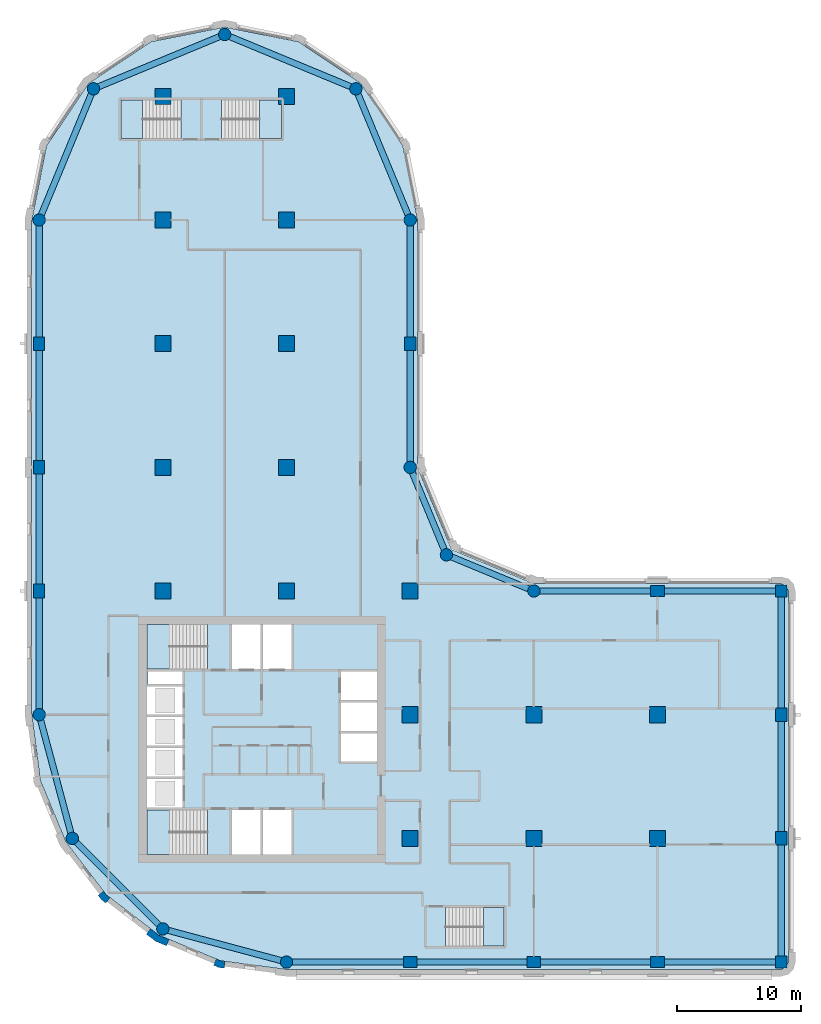
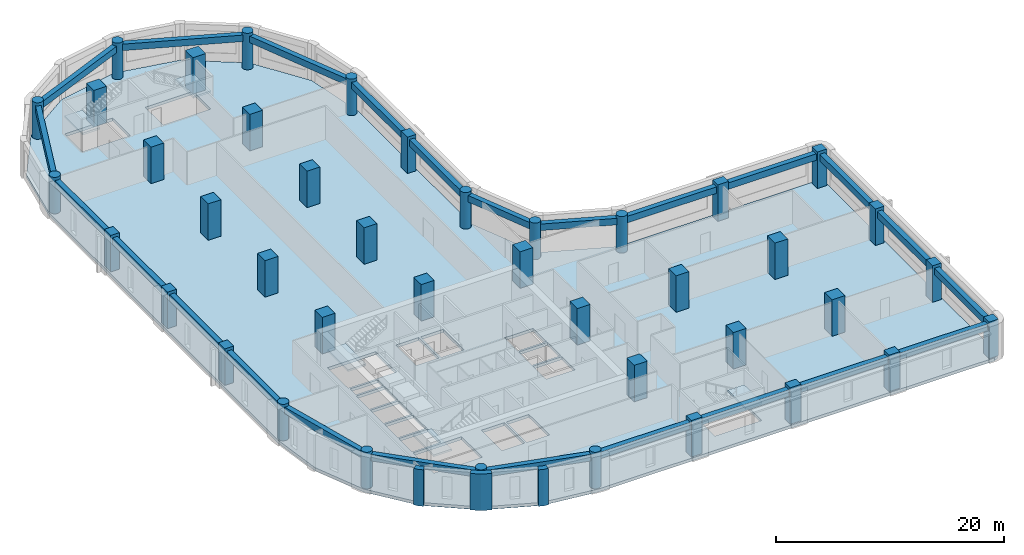
# One storey, part 1 of 9: 41 columns, 24 beams, 6 slabs, 3 walls, 5 elements without a shape of their own.
"""IFC4 building model written with IfcOpenShell, lengths in metres."""

from ifc_helpers import new_model, si_unit, direction, frame, origin, origin_2d, place, context, subcontext, project, spatial, polyline, rectangle, circle, outline, extrude, material, layer, layer_set, material_profile, profile_set, type_object, element, aggregate, save


model = new_model("IFC4")

# Units and contexts
model_context = context("Model", 3, precision=1e-05, world=origin(), true_north=direction((0.0, 1.0)))
body_context = subcontext(model_context, "Body", "Model", "MODEL_VIEW")
ifc_project = project(units=[si_unit("LENGTHUNIT", "METRE"), si_unit("AREAUNIT", "SQUARE_METRE"), si_unit("VOLUMEUNIT", "CUBIC_METRE"), si_unit("PLANEANGLEUNIT", "RADIAN"), si_unit("MASSUNIT", "GRAM", prefix="KILO")], contexts=[model_context])

# Site, building, storey
site_placement = place(None, origin())
site = spatial("IfcSite", under=ifc_project, at=site_placement, CompositionType="ELEMENT")
building_placement = place(site_placement, origin())
building = spatial("IfcBuilding", under=site, at=building_placement, Name="Qaws Garden Tower", CompositionType="ELEMENT")
storey_placement = place(building_placement, frame((0.0, 0.0, 213.60009765625)))
storey = spatial("IfcBuildingStorey", under=building, at=storey_placement, Name="L52", CompositionType="ELEMENT", Elevation=213.60009765625)

# Columns
ifc_material_1 = material(Name="Concrete C70", Category="concrete")
ifc_material_profile_1 = material_profile(ifc_material_1, rectangle(XDim=1.10009765625, YDim=0.89990234375, at=origin_2d()), Name="RC 1100x900")
ifc_profile_set_1 = profile_set([ifc_material_profile_1], Name="Concrete C70")
column_type_1 = type_object("IfcColumnType", Name="Column RC 1100x900 C70", PredefinedType="COLUMN", material=ifc_profile_set_1)
for number, where, z_axis, x_axis, name in (
    (1, (30.0, 0.0, 0.0), (0.0, 0.0, 1.0), (1.0, 0.0, 0.0), "Column L52-002"),
    (2, (40.0, 0.0, 0.0), (0.0, 0.0, 1.0), (1.0, 0.0, 0.0), "Column L52-003"),
    (3, (50.0, 0.0, 0.0), (0.0, 0.0, 1.0), (1.0, 0.0, 0.0), "Column L52-004"),
    (4, (60.0, 10.0, 0.0), (0.0, 0.0, 1.0), (0.0, 1.0, 0.0), "Column L52-006"),
    (5, (60.0, 20.0, 0.0), (0.0, 0.0, 1.0), (0.0, 1.0, 0.0), "Column L52-007"),
    (6, (50.0, 30.0, 0.0), (0.0, 0.0, 1.0), (1.0, 0.0, 0.0), "Column L52-009"),
    (7, (30.0, 50.0, 0.0), (0.0, 0.0, 1.0), (0.0, 1.0, 0.0), "Column L52-013"),
    (8, (0.0, 50.0, 0.0), (0.0, 0.0, 1.0), (0.0, 1.0, 0.0), "Column L52-019"),
    (9, (0.0, 40.0, 0.0), (0.0, 0.0, 1.0), (0.0, 1.0, 0.0), "Column L52-020"),
    (10, (0.0, 30.0, 0.0), (0.0, 0.0, 1.0), (0.0, 1.0, 0.0), "Column L52-021"),
):
    element("IfcColumn", number, at=place(storey_placement, frame(where, z_axis=z_axis, x_axis=x_axis)), inside=storey, type_object=column_type_1, Name=name, PredefinedType="COLUMN", context=body_context, shape_type="SweptSolid", body=[
        extrude(rectangle(XDim=1.10009765625, YDim=0.89990234375, at=origin_2d()), origin(), (0.0, 0.0, 1.0), 3.89990234375),
    ])
ifc_material_2 = material(Name="Concrete C70", Category="concrete")
ifc_material_profile_2 = material_profile(ifc_material_2, rectangle(XDim=1.300048828125, YDim=1.300048828125, at=origin_2d()), Name="RC 1300x1300")
ifc_profile_set_2 = profile_set([ifc_material_profile_2], Name="Concrete C70")
column_type_2 = type_object("IfcColumnType", Name="Column RC 1300x1300 C70", PredefinedType="COLUMN", material=ifc_profile_set_2)
for number, where, z_axis, x_axis, name in (
    (11, (10.0, 30.0, 0.0), (0.0, 0.0, 1.0), (1.0, 0.0, 0.0), "Column L52-025"),
    (12, (10.0, 40.0, 0.0), (0.0, 0.0, 1.0), (1.0, 0.0, 0.0), "Column L52-026"),
    (13, (10.0, 50.0, 0.0), (0.0, 0.0, 1.0), (1.0, 0.0, 0.0), "Column L52-027"),
    (14, (10.0, 60.0, 0.0), (0.0, 0.0, 1.0), (1.0, 0.0, 0.0), "Column L52-028"),
    (15, (10.0, 70.0, 0.0), (0.0, 0.0, 1.0), (1.0, 0.0, 0.0), "Column L52-029"),
    (16, (20.0, 30.0, 0.0), (0.0, 0.0, 1.0), (1.0, 0.0, 0.0), "Column L52-030"),
    (17, (20.0, 40.0, 0.0), (0.0, 0.0, 1.0), (1.0, 0.0, 0.0), "Column L52-031"),
    (18, (20.0, 50.0, 0.0), (0.0, 0.0, 1.0), (1.0, 0.0, 0.0), "Column L52-032"),
    (19, (20.0, 60.0, 0.0), (0.0, 0.0, 1.0), (1.0, 0.0, 0.0), "Column L52-033"),
    (20, (20.0, 70.0, 0.0), (0.0, 0.0, 1.0), (1.0, 0.0, 0.0), "Column L52-034"),
    (21, (30.0, 10.0, 0.0), (0.0, 0.0, 1.0), (1.0, 0.0, 0.0), "Column L52-035"),
    (22, (30.0, 20.0, 0.0), (0.0, 0.0, 1.0), (1.0, 0.0, 0.0), "Column L52-036"),
    (23, (30.0, 30.0, 0.0), (0.0, 0.0, 1.0), (1.0, 0.0, 0.0), "Column L52-037"),
    (24, (40.0, 10.0, 0.0), (0.0, 0.0, 1.0), (1.0, 0.0, 0.0), "Column L52-038"),
    (25, (40.0, 20.0, 0.0), (0.0, 0.0, 1.0), (1.0, 0.0, 0.0), "Column L52-039"),
    (26, (50.0, 10.0, 0.0), (0.0, 0.0, 1.0), (1.0, 0.0, 0.0), "Column L52-040"),
    (27, (50.0, 20.0, 0.0), (0.0, 0.0, 1.0), (1.0, 0.0, 0.0), "Column L52-041"),
):
    element("IfcColumn", number, at=place(storey_placement, frame(where, z_axis=z_axis, x_axis=x_axis)), inside=storey, type_object=column_type_2, Name=name, PredefinedType="COLUMN", context=body_context, shape_type="SweptSolid", body=[
        extrude(rectangle(XDim=1.300048828125, YDim=1.300048828125, at=origin_2d()), origin(), (0.0, 0.0, 1.0), 3.89990234375),
    ])
ifc_material_3 = material(Name="Concrete C70", Category="concrete")
ifc_material_profile_3 = material_profile(ifc_material_3, rectangle(XDim=0.949951171875, YDim=0.949951171875, at=origin_2d()), Name="RC 950x950")
ifc_profile_set_3 = profile_set([ifc_material_profile_3], Name="Concrete C70")
column_type_3 = type_object("IfcColumnType", Name="Column RC 950x950 C70", PredefinedType="COLUMN", material=ifc_profile_set_3)
for number, where, z_axis, x_axis, name in (
    (28, (60.0, 0.0, 0.0), (0.0, 0.0, 1.0), (1.0, 0.0, 0.0), "Column L52-005"),
    (29, (60.0, 30.0, 0.0), (0.0, 0.0, 1.0), (1.0, 0.0, 0.0), "Column L52-008"),
):
    element("IfcColumn", number, at=place(storey_placement, frame(where, z_axis=z_axis, x_axis=x_axis)), inside=storey, type_object=column_type_3, Name=name, PredefinedType="COLUMN", context=body_context, shape_type="SweptSolid", body=[
        extrude(rectangle(XDim=0.949951171875, YDim=0.949951171875, at=origin_2d()), origin(), (0.0, 0.0, 1.0), 3.89990234375),
    ])
ifc_material_4 = material(Name="Concrete C70", Category="concrete")
ifc_material_profile_4 = material_profile(ifc_material_4, circle(Radius=0.5, at=origin_2d()), Name="RC D1000")
ifc_profile_set_4 = profile_set([ifc_material_profile_4], Name="Concrete C70")
column_type_4 = type_object("IfcColumnType", Name="Column RC D1000 C70", PredefinedType="COLUMN", material=ifc_profile_set_4)
for number, where, z_axis, x_axis, name in (
    (30, (20.0, 0.0, 0.0), (0.0, 0.0, 1.0), (1.0, 0.0, 0.0), "Column L52-001"),
    (31, (40.0, 30.0, 0.0), (0.0, 0.0, 1.0), (1.0, 0.0, 0.0), "Column L52-010"),
    (32, (32.928955078125, 32.928955078125, 0.0), (0.0, 0.0, 1.0), (1.0, 0.0, 0.0), "Column L52-011"),
    (33, (30.0, 40.0, 0.0), (0.0, 0.0, 1.0), (1.0, 0.0, 0.0), "Column L52-012"),
    (34, (30.0, 60.0, 0.0), (0.0, 0.0, 1.0), (1.0, 0.0, 0.0), "Column L52-014"),
    (35, (25.606689453125, 70.606689453125, 0.0), (0.0, 0.0, 1.0), (1.0, 0.0, 0.0), "Column L52-015"),
    (36, (15.0, 75.0, 0.0), (0.0, 0.0, 1.0), (1.0, 0.0, 0.0), "Column L52-016"),
    (37, (4.393310546875, 70.606689453125, 0.0), (0.0, 0.0, 1.0), (1.0, 0.0, 0.0), "Column L52-017"),
    (38, (0.0, 60.0, 0.0), (0.0, 0.0, 1.0), (1.0, 0.0, 0.0), "Column L52-018"),
    (39, (0.0, 20.0, 0.0), (0.0, 0.0, 1.0), (1.0, 0.0, 0.0), "Column L52-022"),
    (40, (2.679443359375, 10.0, 0.0), (0.0, 0.0, 1.0), (1.0, 0.0, 0.0), "Column L52-023"),
    (41, (10.0, 2.679443359375, 0.0), (0.0, 0.0, 1.0), (1.0, 0.0, 0.0), "Column L52-024"),
):
    element("IfcColumn", number, at=place(storey_placement, frame(where, z_axis=z_axis, x_axis=x_axis)), inside=storey, type_object=column_type_4, Name=name, PredefinedType="COLUMN", context=body_context, shape_type="SweptSolid", body=[
        extrude(circle(Radius=0.5, at=origin_2d()), origin(), (0.0, 0.0, 1.0), 3.89990234375),
    ])

# Beams
ifc_material_5 = material(Name="Concrete C45", Category="concrete")
ifc_material_profile_5 = material_profile(ifc_material_5, rectangle(XDim=0.5, YDim=0.699951171875, at=origin_2d()), Name="RC 500x700")
ifc_profile_set_5 = profile_set([ifc_material_profile_5], Name="Concrete C45")
beam_type = type_object("IfcBeamType", Name="Spandrel beam RC 500x700 C45", PredefinedType="SPANDREL", material=ifc_profile_set_5)
for number, where, z_axis, x_axis, name in (
    (42, (20.0, 0.0, 3.22998046875), (1.0, 0.0, 0.0), (0.0, 1.0, 0.0), "Spandrel beam L52-001"),
    (43, (30.0, 0.0, 3.22998046875), (1.0, 0.0, 0.0), (0.0, 1.0, 0.0), "Spandrel beam L52-002"),
    (44, (40.0, 0.0, 3.22998046875), (1.0, 0.0, 0.0), (0.0, 1.0, 0.0), "Spandrel beam L52-003"),
    (45, (50.0, 0.0, 3.22998046875), (1.0, 0.0, 0.0), (0.0, 1.0, 0.0), "Spandrel beam L52-004"),
    (46, (60.0, 0.0, 3.22998046875), (0.0, 1.0, 0.0), (-1.0, 0.0, 0.0), "Spandrel beam L52-005"),
    (47, (60.0, 10.0, 3.22998046875), (0.0, 1.0, 0.0), (-1.0, 0.0, 0.0), "Spandrel beam L52-006"),
    (48, (60.0, 20.0, 3.22998046875), (0.0, 1.0, 0.0), (-1.0, 0.0, 0.0), "Spandrel beam L52-007"),
    (49, (60.0, 30.0, 3.22998046875), (-1.0, 0.0, 0.0), (0.0, -1.0, 0.0), "Spandrel beam L52-008"),
    (50, (50.0, 30.0, 3.22998046875), (-1.0, 0.0, 0.0), (0.0, -1.0, 0.0), "Spandrel beam L52-009"),
):
    element("IfcBeam", number, at=place(storey_placement, frame(where, z_axis=z_axis, x_axis=x_axis)), inside=storey, type_object=beam_type, Name=name, PredefinedType="SPANDREL", context=body_context, shape_type="SweptSolid", body=[
        extrude(rectangle(XDim=0.5, YDim=0.699951171875, at=origin_2d()), origin(), (0.0, 0.0, 1.0), 10.0),
    ])
for number, where, z_axis, x_axis, name in (
    (51, (40.0, 30.0, 3.22998046875), (-0.923878037141, 0.382687042488, 0.0), (-0.382687042488, -0.923878037141, 0.0), "Spandrel beam L52-010"),
    (52, (32.928955078125, 32.928955078125, 3.22998046875), (-0.382687042488, 0.923878037141, 0.0), (-0.923878037141, -0.382687042488, 0.0), "Spandrel beam L52-011"),
):
    element("IfcBeam", number, at=place(storey_placement, frame(where, z_axis=z_axis, x_axis=x_axis)), inside=storey, type_object=beam_type, Name=name, PredefinedType="SPANDREL", context=body_context, shape_type="SweptSolid", body=[
        extrude(rectangle(XDim=0.5, YDim=0.699951171875, at=origin_2d()), origin(), (0.0, 0.0, 1.0), 7.653564453125),
    ])
for number, where, z_axis, x_axis, name in (
    (53, (30.0, 40.0, 3.22998046875), (0.0, 1.0, 0.0), (-1.0, 0.0, 0.0), "Spandrel beam L52-012"),
    (54, (30.0, 50.0, 3.22998046875), (0.0, 1.0, 0.0), (-1.0, 0.0, 0.0), "Spandrel beam L52-013"),
):
    element("IfcBeam", number, at=place(storey_placement, frame(where, z_axis=z_axis, x_axis=x_axis)), inside=storey, type_object=beam_type, Name=name, PredefinedType="SPANDREL", context=body_context, shape_type="SweptSolid", body=[
        extrude(rectangle(XDim=0.5, YDim=0.699951171875, at=origin_2d()), origin(), (0.0, 0.0, 1.0), 10.0),
    ])
for number, where, z_axis, x_axis, name in (
    (55, (30.0, 60.0, 3.22998046875), (-0.382674207535, 0.923883353507, 0.0), (-0.923883353507, -0.382674207535, 0.0), "Spandrel beam L52-014"),
    (56, (25.606689453125, 70.606689453125, 3.22998046875), (-0.923883353507, 0.382674207535, 0.0), (-0.382674207535, -0.923883353507, 0.0), "Spandrel beam L52-015"),
    (57, (15.0, 75.0, 3.22998046875), (-0.923883353507, -0.382674207535, 0.0), (0.382674207535, -0.923883353507, 0.0), "Spandrel beam L52-016"),
    (58, (4.393310546875, 70.606689453125, 3.22998046875), (-0.382674207535, -0.923883353507, 0.0), (0.923883353507, -0.382674207535, 0.0), "Spandrel beam L52-017"),
):
    element("IfcBeam", number, at=place(storey_placement, frame(where, z_axis=z_axis, x_axis=x_axis)), inside=storey, type_object=beam_type, Name=name, PredefinedType="SPANDREL", context=body_context, shape_type="SweptSolid", body=[
        extrude(rectangle(XDim=0.5, YDim=0.699951171875, at=origin_2d()), origin(), (0.0, 0.0, 1.0), 11.48046875),
    ])
for number, where, z_axis, x_axis, name in (
    (59, (0.0, 60.0, 3.22998046875), (0.0, -1.0, 0.0), (1.0, 0.0, 0.0), "Spandrel beam L52-018"),
    (60, (0.0, 50.0, 3.22998046875), (0.0, -1.0, 0.0), (1.0, 0.0, 0.0), "Spandrel beam L52-019"),
    (61, (0.0, 40.0, 3.22998046875), (0.0, -1.0, 0.0), (1.0, 0.0, 0.0), "Spandrel beam L52-020"),
    (62, (0.0, 30.0, 3.22998046875), (0.0, -1.0, 0.0), (1.0, 0.0, 0.0), "Spandrel beam L52-021"),
):
    element("IfcBeam", number, at=place(storey_placement, frame(where, z_axis=z_axis, x_axis=x_axis)), inside=storey, type_object=beam_type, Name=name, PredefinedType="SPANDREL", context=body_context, shape_type="SweptSolid", body=[
        extrude(rectangle(XDim=0.5, YDim=0.699951171875, at=origin_2d()), origin(), (0.0, 0.0, 1.0), 10.0),
    ])
for number, where, z_axis, x_axis, name in (
    (63, (0.0, 20.0, 3.22998046875), (0.25881466832, -0.965926999034, 0.0), (0.965926999034, 0.25881466832, 0.0), "Spandrel beam L52-022"),
    (64, (2.679443359375, 10.0, 3.22998046875), (0.707106781187, -0.707106781187, 0.0), (0.707106781187, 0.707106781187, 0.0), "Spandrel beam L52-023"),
    (65, (10.0, 2.679443359375, 3.22998046875), (0.965926999034, -0.25881466832, 0.0), (0.25881466832, 0.965926999034, 0.0), "Spandrel beam L52-024"),
):
    element("IfcBeam", number, at=place(storey_placement, frame(where, z_axis=z_axis, x_axis=x_axis)), inside=storey, type_object=beam_type, Name=name, PredefinedType="SPANDREL", context=body_context, shape_type="SweptSolid", body=[
        extrude(rectangle(XDim=0.5, YDim=0.699951171875, at=origin_2d()), origin(), (0.0, 0.0, 1.0), 10.352783203125),
    ])

# Slab
ifc_material_6 = material(Name="Concrete C40", Category="concrete")
ifc_layer_1 = layer(ifc_material_6, 0.320068359375)
ifc_layer_set_1 = layer_set([ifc_layer_1], Name="Concrete C40")
slab_type_1 = type_object("IfcSlabType", Name="Floor slab 320 C40", PredefinedType="FLOOR", material=ifc_layer_set_1)
slab_1_placement = place(storey_placement, frame((0.0, 0.0, -0.320068359375)))
element("IfcSlab", 66, at=slab_1_placement, inside=storey, type_object=slab_type_1, Name="Floor slab L52", PredefinedType="FLOOR", context=body_context, shape_type="SweptSolid", body=[
    extrude(outline(polyline([(0.101806640625, 14.668212890625), (-0.60009765625, 20.0), (-0.60009765625, 30.60009765625), (-0.60009765625, 60.0), (-0.60009765625, 60.0), (0.58740234375, 65.969970703125), (3.968994140625, 71.031005859375), (9.030029296875, 74.41259765625), (15.0, 75.60009765625), (20.969970703125, 74.41259765625), (26.031005859375, 71.031005859375), (29.41259765625, 65.969970703125), (30.60009765625, 60.0), (30.60009765625, 40.0), (33.353271484375, 33.353271484375), (40.0, 30.60009765625), (60.0, 30.60009765625), (60.42431640625, 30.42431640625), (60.60009765625, 30.0), (60.60009765625, 0.0), (60.42431640625, -0.42431640625), (60.0, -0.60009765625), (30.60009765625, -0.60009765625), (20.0, -0.60009765625), (14.668212890625, 0.101806640625), (9.699951171875, 2.159912109375), (5.43359375, 5.43359375), (2.159912109375, 9.699951171875), (0.101806640625, 14.668212890625)]), holes=[polyline([(13.599609375, 12.300048828125), (8.699951171875, 12.300048828125), (8.699951171875, 8.699951171875), (13.599609375, 8.699951171875), (13.599609375, 12.300048828125)]), polyline([(17.89990234375, 12.300048828125), (15.60009765625, 12.300048828125), (15.60009765625, 8.699951171875), (17.89990234375, 8.699951171875), (17.89990234375, 12.300048828125)]), polyline([(11.60009765625, 14.800048828125), (8.699951171875, 14.800048828125), (8.699951171875, 12.5), (11.60009765625, 12.5), (11.60009765625, 14.800048828125)]), polyline([(11.60009765625, 17.300048828125), (8.699951171875, 17.300048828125), (8.699951171875, 15.0), (11.60009765625, 15.0), (11.60009765625, 17.300048828125)]), polyline([(11.60009765625, 19.800048828125), (8.699951171875, 19.800048828125), (8.699951171875, 17.5), (11.60009765625, 17.5), (11.60009765625, 19.800048828125)]), polyline([(11.60009765625, 22.300048828125), (8.699951171875, 22.300048828125), (8.699951171875, 20.0), (11.60009765625, 20.0), (11.60009765625, 22.300048828125)]), polyline([(11.60009765625, 23.5), (8.800048828125, 23.5), (8.800048828125, 22.5), (11.60009765625, 22.5), (11.60009765625, 23.5)]), polyline([(13.599609375, 27.300048828125), (8.699951171875, 27.300048828125), (8.699951171875, 23.699951171875), (13.599609375, 23.699951171875), (13.599609375, 27.300048828125)]), polyline([(11.449462890625, 69.699951171875), (6.60009765625, 69.699951171875), (6.60009765625, 66.60009765625), (11.449462890625, 66.60009765625), (11.449462890625, 69.699951171875)]), polyline([(37.60009765625, 4.39990234375), (32.8505859375, 4.39990234375), (32.8505859375, 1.300048828125), (37.60009765625, 1.300048828125), (37.60009765625, 4.39990234375)]), polyline([(20.39990234375, 12.300048828125), (18.10009765625, 12.300048828125), (18.10009765625, 8.699951171875), (20.39990234375, 8.699951171875), (20.39990234375, 12.300048828125)]), polyline([(27.300048828125, 18.5), (24.39990234375, 18.5), (24.39990234375, 16.199951171875), (27.300048828125, 16.199951171875), (27.300048828125, 18.5)]), polyline([(27.300048828125, 21.0), (24.39990234375, 21.0), (24.39990234375, 18.699951171875), (27.300048828125, 18.699951171875), (27.300048828125, 21.0)]), polyline([(27.300048828125, 23.5), (24.39990234375, 23.5), (24.39990234375, 21.199951171875), (27.300048828125, 21.199951171875), (27.300048828125, 23.5)]), polyline([(17.89990234375, 27.300048828125), (15.60009765625, 27.300048828125), (15.60009765625, 23.699951171875), (17.89990234375, 23.699951171875), (17.89990234375, 27.300048828125)]), polyline([(20.39990234375, 23.699951171875), (20.39990234375, 27.300048828125), (18.10009765625, 27.300048828125), (18.10009765625, 23.699951171875), (20.39990234375, 23.699951171875)]), polyline([(19.60009765625, 66.60009765625), (19.60009765625, 69.699951171875), (14.75048828125, 69.699951171875), (14.75048828125, 66.60009765625), (19.60009765625, 66.60009765625)])]), origin(), (0.0, 0.0, 1.0), 0.320068359375),
])

# Stair, slab
ifc_material_7 = material(Name="Concrete C40", Category="concrete")
stair_type_1 = type_object("IfcStairType", Name="Exit stair 1500", PredefinedType="HALF_TURN_STAIR", material=ifc_material_7)
placement_1 = place(storey_placement, origin())
stair_1 = element("IfcStair", 67, at=placement_1, inside=storey, type_object=stair_type_1, Name="Stair 1", PredefinedType="HALF_TURN_STAIR")
ifc_material_8 = material(Name="Concrete C40", Category="concrete")
ifc_layer_2 = layer(ifc_material_8, 0.199951171875)
ifc_layer_set_2 = layer_set([ifc_layer_2], Name="Concrete C40")
slab_type_2 = type_object("IfcSlabType", Name="Stair landing 200", PredefinedType="LANDING", material=ifc_layer_set_2)
placement_2 = place(storey_placement, frame((0.0, 0.0, 1.75)))
slab_2 = element("IfcSlab", 68, at=placement_2, type_object=slab_type_2, Name="ST1 landing 1", PredefinedType="LANDING", context=body_context, shape_type="SweptSolid", body=[
    extrude(outline(polyline([(8.699951171875, 8.699951171875), (10.52001953125, 8.699951171875), (10.52001953125, 12.300048828125), (8.699951171875, 12.300048828125), (8.699951171875, 8.699951171875)])), origin(), (0.0, 0.0, 1.0), 0.199951171875),
])
aggregate(stair_1, [slab_2])

stair_2 = element("IfcStair", 69, at=placement_1, inside=storey, type_object=stair_type_1, Name="Stair 4", PredefinedType="HALF_TURN_STAIR")
slab_3 = element("IfcSlab", 70, at=placement_2, type_object=slab_type_2, Name="ST4 landing 1", PredefinedType="LANDING", context=body_context, shape_type="SweptSolid", body=[
    extrude(outline(polyline([(8.699951171875, 23.699951171875), (10.52001953125, 23.699951171875), (10.52001953125, 27.300048828125), (8.699951171875, 27.300048828125), (8.699951171875, 23.699951171875)])), origin(), (0.0, 0.0, 1.0), 0.199951171875),
])
aggregate(stair_2, [slab_3])

ifc_material_9 = material(Name="Concrete C40", Category="concrete")
stair_type_2 = type_object("IfcStairType", Name="Exit stair 1350", PredefinedType="HALF_TURN_STAIR", material=ifc_material_9)
stair_3 = element("IfcStair", 71, at=placement_1, inside=storey, type_object=stair_type_2, Name="Stair 5", PredefinedType="HALF_TURN_STAIR")
slab_4 = element("IfcSlab", 72, at=placement_2, type_object=slab_type_2, Name="ST5 landing 1", PredefinedType="LANDING", context=body_context, shape_type="SweptSolid", body=[
    extrude(outline(polyline([(35.929931640625, 1.300048828125), (37.60009765625, 1.300048828125), (37.60009765625, 4.39990234375), (35.929931640625, 4.39990234375), (35.929931640625, 1.300048828125)])), origin(), (0.0, 0.0, 1.0), 0.199951171875),
])
aggregate(stair_3, [slab_4])

stair_4 = element("IfcStair", 73, at=placement_1, inside=storey, type_object=stair_type_2, Name="Stair 6", PredefinedType="HALF_TURN_STAIR")
slab_5 = element("IfcSlab", 74, at=placement_2, type_object=slab_type_2, Name="ST6 landing 1", PredefinedType="LANDING", context=body_context, shape_type="SweptSolid", body=[
    extrude(outline(polyline([(6.60009765625, 66.60009765625), (8.3701171875, 66.60009765625), (8.3701171875, 69.699951171875), (6.60009765625, 69.699951171875), (6.60009765625, 66.60009765625)])), origin(), (0.0, 0.0, 1.0), 0.199951171875),
])
aggregate(stair_4, [slab_5])

stair_5 = element("IfcStair", 75, at=placement_1, inside=storey, type_object=stair_type_2, Name="Stair 7", PredefinedType="HALF_TURN_STAIR")
slab_6 = element("IfcSlab", 76, at=placement_2, type_object=slab_type_2, Name="ST7 landing 1", PredefinedType="LANDING", context=body_context, shape_type="SweptSolid", body=[
    extrude(outline(polyline([(17.830078125, 66.60009765625), (19.60009765625, 66.60009765625), (19.60009765625, 69.699951171875), (17.830078125, 69.699951171875), (17.830078125, 66.60009765625)])), origin(), (0.0, 0.0, 1.0), 0.199951171875),
])
aggregate(stair_5, [slab_6])

# Walls
ifc_material_10 = material(Name="Clay facing brick masonry", Category="masonry")
ifc_layer_3 = layer(ifc_material_10, 0.550048828125)
ifc_layer_set_3 = layer_set([ifc_layer_3], Name="Clay facing brick masonry")
wall_type_1 = type_object("IfcWallType", Name="Brick kink pier 550 x 600", PredefinedType="SOLIDWALL", material=ifc_layer_set_3)
element("IfcWall", 77, at=placement_1, inside=storey, type_object=wall_type_1, Name="E-L52-pier-28", PredefinedType="SOLIDWALL", context=body_context, shape_type="SweptSolid", body=[
    extrude(outline(polyline([(4.8818359375, 5.487060546875), (4.762939453125, 5.395751953125), (5.03759765625, 5.03759765625), (5.395751953125, 4.762939453125), (5.487060546875, 4.8818359375), (5.730712890625, 5.19921875), (5.429931640625, 5.429931640625), (5.19921875, 5.730712890625), (4.8818359375, 5.487060546875)])), origin(), (0.0, 0.0, 1.0), 3.89990234375),
])
element("IfcWall", 78, at=placement_1, inside=storey, type_object=wall_type_1, Name="E-L52-pier-30", PredefinedType="SOLIDWALL", context=body_context, shape_type="SweptSolid", body=[
    extrude(outline(polyline([(14.163818359375, -0.127685546875), (14.1064453125, -0.26611328125), (14.5234375, -0.43896484375), (14.970947265625, -0.497802734375), (14.990478515625, -0.34912109375), (15.042724609375, 0.04736328125), (14.6669921875, 0.096923828125), (14.31689453125, 0.241943359375), (14.163818359375, -0.127685546875)])), origin(), (0.0, 0.0, 1.0), 3.89990234375),
])
ifc_material_11 = material(Name="Clay facing brick masonry", Category="masonry")
ifc_layer_4 = layer(ifc_material_11, 0.550048828125)
ifc_layer_set_4 = layer_set([ifc_layer_4], Name="Clay facing brick masonry")
wall_type_2 = type_object("IfcWallType", Name="Brick pier 550 x 1600", PredefinedType="SOLIDWALL", material=ifc_layer_set_4)
element("IfcWall", 79, at=placement_1, inside=storey, type_object=wall_type_2, Name="E-L52-pier-29", PredefinedType="SOLIDWALL", context=body_context, shape_type="SweptSolid", body=[
    extrude(outline(polyline([(8.756591796875, 2.373046875), (8.665283203125, 2.254150390625), (9.419921875, 1.675048828125), (10.299072265625, 1.310791015625), (10.3564453125, 1.449462890625), (10.509521484375, 1.819091796875), (9.697509765625, 2.1552734375), (9.0, 2.6904296875), (8.756591796875, 2.373046875)])), origin(), (0.0, 0.0, 1.0), 3.89990234375),
])

save(model, "model.ifc")
